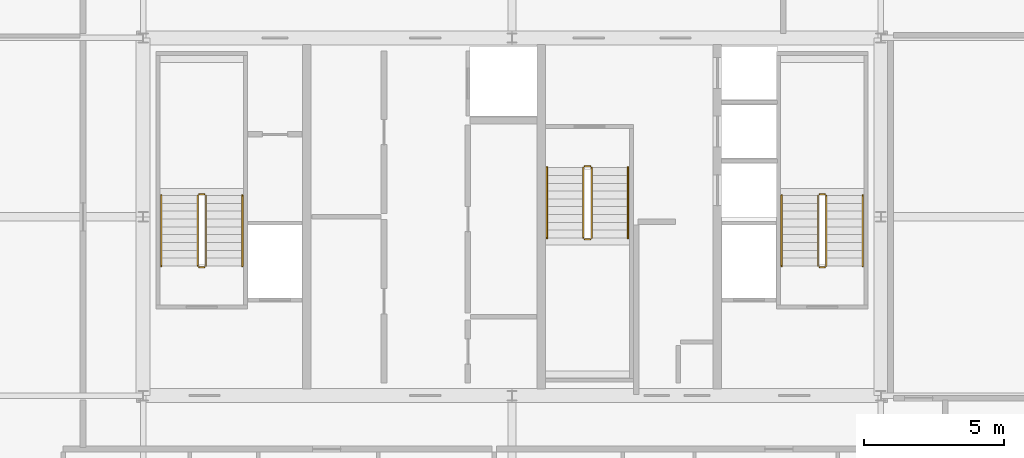
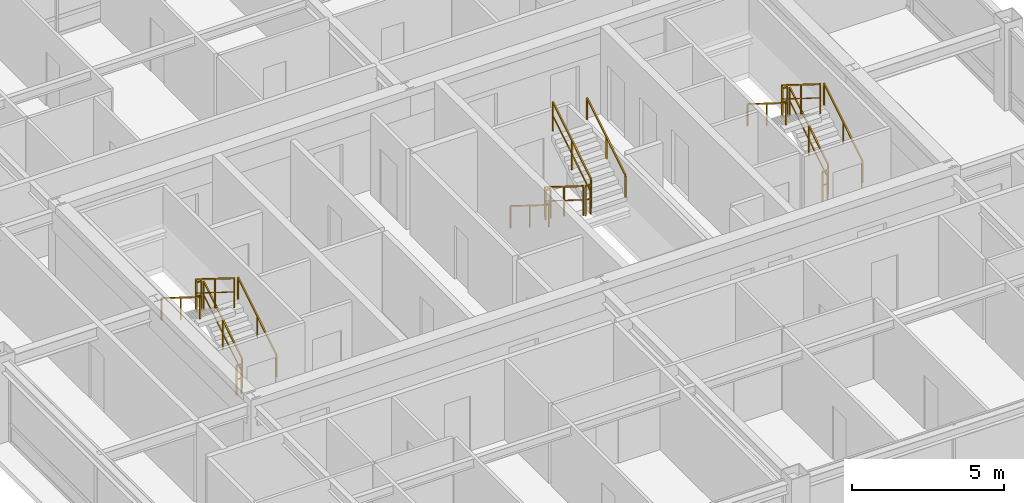
# One storey, part 35 of 35: 18 railings.
"""IFC4 building model written with IfcOpenShell, lengths in metres."""

from ifc_helpers import new_model, si_unit, direction, frame, origin, origin_2d, place, context, subcontext, project, spatial, rectangle, extrude, source, transform, mapped, material, layer, layer_set, type_object, element, save


model = new_model("IFC4")

# Units and contexts
model_context = context("Model", 3, precision=1e-05, world=origin(), true_north=direction((0.0, 1.0)))
body_context = subcontext(model_context, "Body", "Model", "MODEL_VIEW")
ifc_project = project(units=[si_unit("LENGTHUNIT", "METRE"), si_unit("AREAUNIT", "SQUARE_METRE"), si_unit("VOLUMEUNIT", "CUBIC_METRE"), si_unit("PLANEANGLEUNIT", "RADIAN"), si_unit("MASSUNIT", "GRAM", prefix="KILO"), si_unit("THERMODYNAMICTEMPERATUREUNIT", "KELVIN"), si_unit("POWERUNIT", "WATT")], contexts=[model_context])

# Site, building, storey
site_placement = place(None, origin())
site = spatial("IfcSite", under=ifc_project, at=site_placement, CompositionType="ELEMENT")
building_placement = place(site_placement, origin())
building = spatial("IfcBuilding", under=site, at=building_placement, Name="Yuzanri Waterfront Tower", CompositionType="ELEMENT")
storey_placement = place(building_placement, frame((0.0, 0.0, 303.10009765625)))
storey = spatial("IfcBuildingStorey", under=building, at=storey_placement, Name="L81", CompositionType="ELEMENT", Elevation=303.10009765625)

# Railings
ifc_material_1 = material(Name="Painted Galvanized Fire Steel", Category="steel")
ifc_layer_1 = layer(ifc_material_1, 0.06005859375)
ifc_layer_set_1 = layer_set([ifc_layer_1], Name="Painted Galvanized Fire Steel")
railing_type_1 = type_object("IfcRailingType", Name="Painted Steel Stairwell Guardrail 1120", PredefinedType="GUARDRAIL", material=ifc_layer_set_1)
shared_shape_1 = source(origin(), body_context, "Body", "SweptSolid", [
    extrude(rectangle(XDim=0.050048828125, YDim=0.050048828125, at=origin_2d()), frame((0.0, 0.0, 1.1748046875), z_axis=(-1.0, 0.0, 0.0), x_axis=(0.0, -1.0, 0.0)), (0.0, 0.0, 1.0), 0.199951171875),
    extrude(rectangle(XDim=0.035888671875, YDim=0.030029296875, at=origin_2d()), frame((0.0, 0.0, 0.6240234375), z_axis=(-1.0, 0.0, 0.0), x_axis=(0.0, -1.0, 0.0)), (0.0, 0.0, 1.0), 0.199951171875),
    extrude(rectangle(XDim=0.0458984375, YDim=0.0458984375, at=origin_2d()), origin(), (0.0, 0.0, 1.0), 1.14990234375),
    extrude(rectangle(XDim=0.0458984375, YDim=0.0458984375, at=origin_2d()), frame((-0.199951171875, 0.0, 0.0)), (0.0, 0.0, 1.0), 1.14990234375),
])
for number, where, name in (
    (1, (26.0, 26.610107421875, 1.75), "L81 ST-01 stair guard 2"),
    (2, (26.0, 23.989990234375, 0.0), "L81 ST-01 stair guard 4"),
    (3, (48.199951171875, 26.610107421875, 1.75), "L81 ST-02 stair guard 2"),
    (4, (48.199951171875, 23.989990234375, 0.0), "L81 ST-02 stair guard 4"),
):
    element("IfcRailing", number, at=place(storey_placement, frame(where)), inside=storey, type_object=railing_type_1, Name=name, PredefinedType="GUARDRAIL", context=body_context, shape_type="MappedRepresentation", body=[
        mapped(shared_shape_1, transform((0.0, 0.0, 0.0), scale=1.0)),
    ])
shared_shape_2 = source(origin(), body_context, "Body", "SweptSolid", [
    extrude(rectangle(XDim=0.050048828125, YDim=0.050048828125, at=origin_2d()), frame((0.0, 0.0, 1.1748046875), z_axis=(0.0, 0.847970611238, 0.530043245855), x_axis=(-1.0, 0.0, 0.0)), (0.0, 0.0, 1.0), 2.971923828125),
    extrude(rectangle(XDim=0.035888671875, YDim=0.030029296875, at=origin_2d()), frame((0.0, 0.0, 0.6240234375), z_axis=(0.0, 0.847970611238, 0.530043245855), x_axis=(-1.0, 0.0, 0.0)), (0.0, 0.0, 1.0), 2.971923828125),
    extrude(rectangle(XDim=0.0458984375, YDim=0.0458984375, at=origin_2d()), origin(), (0.0, 0.0, 1.0), 1.14990234375),
    extrude(rectangle(XDim=0.0458984375, YDim=0.0458984375, at=origin_2d()), frame((0.0, 1.260009765625, 0.78759765625)), (0.0, 0.0, 1.0), 1.14990234375),
    extrude(rectangle(XDim=0.0458984375, YDim=0.0458984375, at=origin_2d()), frame((0.0, 2.52001953125, 1.5751953125)), (0.0, 0.0, 1.0), 1.14990234375),
])
for number, where, name in (
    (5, (26.050048828125, 24.0400390625, 0.1748046875), "L81 ST-01 stair guard 1"),
    (6, (48.25, 24.0400390625, 0.1748046875), "L81 ST-02 stair guard 1"),
    (7, (39.85009765625, 25.0400390625, 1.9248046875), "L81 ST-03 stair guard 3"),
):
    element("IfcRailing", number, at=place(storey_placement, frame(where)), inside=storey, type_object=railing_type_1, Name=name, PredefinedType="GUARDRAIL", context=body_context, shape_type="MappedRepresentation", body=[
        mapped(shared_shape_2, transform((0.0, 0.0, 0.0), scale=1.0)),
    ])
shared_shape_3 = source(origin(), body_context, "Body", "SweptSolid", [
    extrude(rectangle(XDim=0.050048828125, YDim=0.050048828125, at=origin_2d()), frame((0.0, 0.0, 1.1748046875), z_axis=(0.0, -0.847970611238, 0.530043245855), x_axis=(1.0, 0.0, 0.0)), (0.0, 0.0, 1.0), 2.971923828125),
    extrude(rectangle(XDim=0.035888671875, YDim=0.030029296875, at=origin_2d()), frame((0.0, 0.0, 0.6240234375), z_axis=(0.0, -0.847970611238, 0.530043245855), x_axis=(1.0, 0.0, 0.0)), (0.0, 0.0, 1.0), 2.971923828125),
    extrude(rectangle(XDim=0.0458984375, YDim=0.0458984375, at=origin_2d()), origin(), (0.0, 0.0, 1.0), 1.14990234375),
    extrude(rectangle(XDim=0.0458984375, YDim=0.0458984375, at=origin_2d()), frame((0.0, -1.260009765625, 0.78759765625)), (0.0, 0.0, 1.0), 1.14990234375),
    extrude(rectangle(XDim=0.0458984375, YDim=0.0458984375, at=origin_2d()), frame((0.0, -2.52001953125, 1.5751953125)), (0.0, 0.0, 1.0), 1.14990234375),
])
for number, where, name in (
    (8, (25.75, 26.56005859375, 1.9248046875), "L81 ST-01 stair guard 3"),
    (9, (47.949951171875, 26.56005859375, 1.9248046875), "L81 ST-02 stair guard 3"),
    (10, (39.550048828125, 27.56005859375, 0.1748046875), "L81 ST-03 stair guard 1"),
):
    element("IfcRailing", number, at=place(storey_placement, frame(where)), inside=storey, type_object=railing_type_1, Name=name, PredefinedType="GUARDRAIL", context=body_context, shape_type="MappedRepresentation", body=[
        mapped(shared_shape_3, transform((0.0, 0.0, 0.0), scale=1.0)),
    ])
ifc_material_2 = material(Name="Anodized Architectural Bronze", Category="metal")
ifc_layer_2 = layer(ifc_material_2, 0.050048828125)
ifc_layer_set_2 = layer_set([ifc_layer_2], Name="Anodized Architectural Bronze")
railing_type_2 = type_object("IfcRailingType", Name="Brushed Bronze Stair Pitch Handrail 920", PredefinedType="HANDRAIL", material=ifc_layer_set_2)
shared_shape_4 = source(origin(), body_context, "Body", "SweptSolid", [
    extrude(rectangle(XDim=0.050048828125, YDim=0.050048828125, at=origin_2d()), frame((0.0, 0.0, 0.875), z_axis=(0.0, 0.847970611238, 0.530043245855), x_axis=(-1.0, 0.0, 0.0)), (0.0, 0.0, 1.0), 2.971923828125),
    extrude(rectangle(XDim=0.0458984375, YDim=0.0458984375, at=origin_2d()), origin(), (0.0, 0.0, 1.0), 0.849853515625),
    extrude(rectangle(XDim=0.0458984375, YDim=0.0458984375, at=origin_2d()), frame((0.0, 1.260009765625, 0.78759765625)), (0.0, 0.0, 1.0), 0.849853515625),
    extrude(rectangle(XDim=0.0458984375, YDim=0.0458984375, at=origin_2d()), frame((0.0, 2.52001953125, 1.5751953125)), (0.0, 0.0, 1.0), 0.849853515625),
])
for number, where, name in (
    (11, (27.35009765625, 24.0400390625, 0.1748046875), "L81 ST-01 stair handrail 1"),
    (12, (49.550048828125, 24.0400390625, 0.1748046875), "L81 ST-02 stair handrail 1"),
    (13, (41.14990234375, 25.0400390625, 1.9248046875), "L81 ST-03 stair handrail 2"),
):
    element("IfcRailing", number, at=place(storey_placement, frame(where)), inside=storey, type_object=railing_type_2, Name=name, PredefinedType="HANDRAIL", context=body_context, shape_type="MappedRepresentation", body=[
        mapped(shared_shape_4, transform((0.0, 0.0, 0.0), scale=1.0)),
    ])
shared_shape_5 = source(origin(), body_context, "Body", "SweptSolid", [
    extrude(rectangle(XDim=0.050048828125, YDim=0.050048828125, at=origin_2d()), frame((0.0, 0.0, 0.875), z_axis=(0.0, -0.847970611238, 0.530043245855), x_axis=(1.0, 0.0, 0.0)), (0.0, 0.0, 1.0), 2.971923828125),
    extrude(rectangle(XDim=0.0458984375, YDim=0.0458984375, at=origin_2d()), origin(), (0.0, 0.0, 1.0), 0.849853515625),
    extrude(rectangle(XDim=0.0458984375, YDim=0.0458984375, at=origin_2d()), frame((0.0, -1.260009765625, 0.78759765625)), (0.0, 0.0, 1.0), 0.849853515625),
    extrude(rectangle(XDim=0.0458984375, YDim=0.0458984375, at=origin_2d()), frame((0.0, -2.52001953125, 1.5751953125)), (0.0, 0.0, 1.0), 0.849853515625),
])
for number, where, name in (
    (14, (24.449951171875, 26.56005859375, 1.9248046875), "L81 ST-01 stair handrail 2"),
    (15, (46.64990234375, 26.56005859375, 1.9248046875), "L81 ST-02 stair handrail 2"),
    (16, (38.25, 27.56005859375, 0.1748046875), "L81 ST-03 stair handrail 1"),
):
    element("IfcRailing", number, at=place(storey_placement, frame(where)), inside=storey, type_object=railing_type_2, Name=name, PredefinedType="HANDRAIL", context=body_context, shape_type="MappedRepresentation", body=[
        mapped(shared_shape_5, transform((0.0, 0.0, 0.0), scale=1.0)),
    ])
shared_shape_6 = source(origin(), body_context, "Body", "SweptSolid", [
    extrude(rectangle(XDim=0.050048828125, YDim=0.050048828125, at=origin_2d()), frame((0.0, 0.0, 1.1748046875), z_axis=(1.0, 0.0, 0.0), x_axis=(0.0, 1.0, 0.0)), (0.0, 0.0, 1.0), 0.199951171875),
    extrude(rectangle(XDim=0.035888671875, YDim=0.030029296875, at=origin_2d()), frame((0.0, 0.0, 0.6240234375), z_axis=(1.0, 0.0, 0.0), x_axis=(0.0, 1.0, 0.0)), (0.0, 0.0, 1.0), 0.199951171875),
    extrude(rectangle(XDim=0.0458984375, YDim=0.0458984375, at=origin_2d()), origin(), (0.0, 0.0, 1.0), 1.14990234375),
    extrude(rectangle(XDim=0.0458984375, YDim=0.0458984375, at=origin_2d()), frame((0.199951171875, 0.0, 0.0)), (0.0, 0.0, 1.0), 1.14990234375),
])
for number, where, name in (
    (17, (39.60009765625, 24.989990234375, 1.75), "L81 ST-03 stair guard 2"),
    (18, (39.60009765625, 27.610107421875, 0.0), "L81 ST-03 stair guard 4"),
):
    element("IfcRailing", number, at=place(storey_placement, frame(where)), inside=storey, type_object=railing_type_1, Name=name, PredefinedType="GUARDRAIL", context=body_context, shape_type="MappedRepresentation", body=[
        mapped(shared_shape_6, transform((0.0, 0.0, 0.0), scale=1.0)),
    ])

save(model, "model.ifc")
